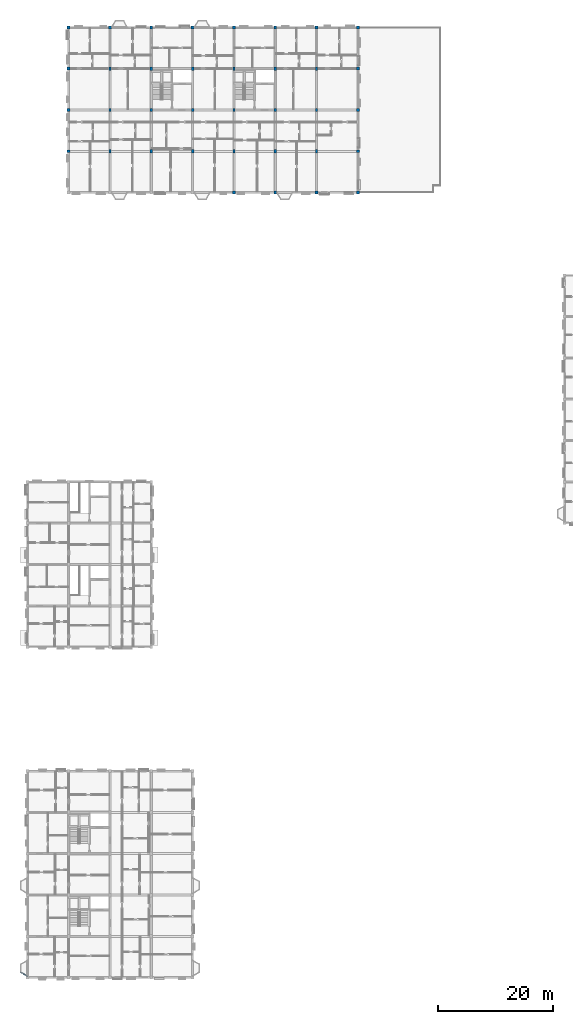
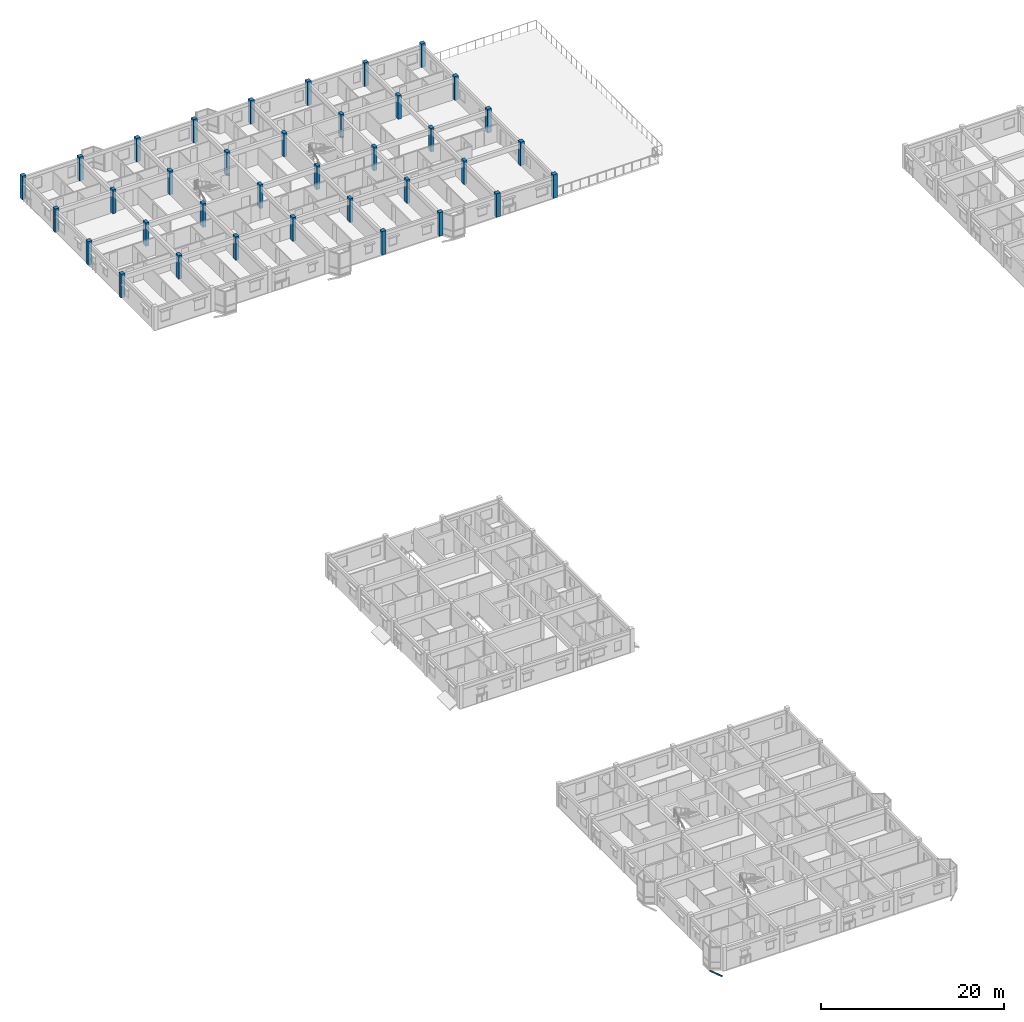
# One storey, part 2 of 64: 36 columns, 1 member.
"""IFC4 building model written with IfcOpenShell, lengths in metres."""

import ifcopenshell
import ifcopenshell.guid

model = None  # the IFC model being written
_history = None  # IfcOwnerHistory: only IFC2X3 demands one
_inside = {}  # id of a spatial element -> (the spatial element, [elements in it])
_under = {}  # id of a project, library or spatial element -> (it, [spatial elements below it])
_declared = {}  # id of a project -> (the project, [libraries it declares])
_typed = {}  # id of a type object -> (the type object, [elements of that type])
_made_of = {}  # id of a material, layer set ... -> (it, [elements and type objects made of it])


def new_model(schema):
    """Start an empty IFC model of exactly this schema.

    Asked for "IFC4X3", IfcOpenShell would pick the latest addendum, in which some entities
    have other attributes; the version numbers below select the first issue.
    IFC2X3 requires an IfcOwnerHistory on every rooted entity: one is made here for all.
    """
    global model, _history
    if schema == "IFC4X3":
        model = ifcopenshell.file(schema_version=(4, 3, 0, 0))
    else:
        model = ifcopenshell.file(schema=schema)
    _inside.clear()
    _under.clear()
    _declared.clear()
    _typed.clear()
    _made_of.clear()
    _history = None
    if model.schema == "IFC2X3":
        org = make("IfcOrganization", Name="unknown")
        user = make(
            "IfcPersonAndOrganization",
            ThePerson=make("IfcPerson", FamilyName="unknown"),
            TheOrganization=org,
        )
        app = make(
            "IfcApplication",
            ApplicationDeveloper=org,
            Version="unknown",
            ApplicationFullName="unknown",
            ApplicationIdentifier="unknown",
        )
        _history = make(
            "IfcOwnerHistory",
            OwningUser=user,
            OwningApplication=app,
            ChangeAction="ADDED",
            CreationDate=0,
        )
    return model


def make(cls, **values):
    """One entity of the class cls with the attributes given. An attribute that is None is left unset."""
    return model.create_entity(
        cls, **{name: value for name, value in values.items() if value is not None}
    )


def rooted(cls, **values):
    """An entity with a GlobalId (a new one), such as an element, a storey or a relation."""
    return make(cls, GlobalId=ifcopenshell.guid.new(), OwnerHistory=_history, **values)


def si_unit(unit_type, name, prefix=None):
    """IfcSIUnit, for example si_unit("LENGTHUNIT", "METRE", prefix="MILLI")."""
    return make("IfcSIUnit", UnitType=unit_type, Prefix=prefix, Name=name)


def assignment(units):
    """IfcUnitAssignment: the units of a project."""
    return None if units is None else make("IfcUnitAssignment", Units=units)


def point(xyz):
    """IfcCartesianPoint."""
    return None if xyz is None else make("IfcCartesianPoint", Coordinates=xyz)


def direction(xyz):
    """IfcDirection."""
    return None if xyz is None else make("IfcDirection", DirectionRatios=xyz)


def frame(location, z_axis=None, x_axis=None):
    """IfcAxis2Placement3D, a coordinate frame: its origin and axes. An axis left out is left unset."""
    return make(
        "IfcAxis2Placement3D",
        Location=point(location),
        Axis=direction(z_axis),
        RefDirection=direction(x_axis),
    )


def frame_2d(location, x_axis=None):
    """IfcAxis2Placement2D, a coordinate frame in the plane: its origin and x axis."""
    return make(
        "IfcAxis2Placement2D", Location=point(location), RefDirection=direction(x_axis)
    )


def origin():
    """The frame at (0, 0, 0) with its axes left unset."""
    return frame((0.0, 0.0, 0.0))


def origin_2d():
    """The frame at (0, 0) in the plane with its x axis left unset."""
    return frame_2d((0.0, 0.0))


def place(relative_to, where):
    """IfcLocalPlacement: puts the frame where relative to a parent placement (None: the world)."""
    return make(
        "IfcLocalPlacement", PlacementRelTo=relative_to, RelativePlacement=where
    )


def context(
    kind, dimensions, precision=None, world=None, true_north=None, identifier=None
):
    """IfcGeometricRepresentationContext, for example the 3D "Model" context."""
    return make(
        "IfcGeometricRepresentationContext",
        ContextIdentifier=identifier,
        ContextType=kind,
        CoordinateSpaceDimension=dimensions,
        Precision=precision,
        WorldCoordinateSystem=world,
        TrueNorth=true_north,
    )


def subcontext(parent, identifier, kind, view, scale=None):
    """IfcGeometricRepresentationSubContext, for example "Body" below "Model"."""
    return make(
        "IfcGeometricRepresentationSubContext",
        ContextIdentifier=identifier,
        ContextType=kind,
        ParentContext=parent,
        TargetScale=scale,
        TargetView=view,
    )


def project(units=None, contexts=None):
    """IfcProject with its units and contexts."""
    return rooted(
        "IfcProject",
        Name="project",
        RepresentationContexts=contexts,
        UnitsInContext=assignment(units),
    )


def spatial(cls, under=None, at=None, **own):
    """A site, building, storey or space (cls), placed at a placement, below another one or the project."""
    s = rooted(cls, ObjectPlacement=at, **own)
    if under is not None:
        _under.setdefault(under.id(), (under, []))[1].append(s)
    return s


def profile(cls, at=None, kind="AREA", **sizes):
    """A parametric profile (cls). Its sizes go by their IFC names, for example OverallWidth=200.0."""
    return make(cls, ProfileType=kind, Position=at, **sizes)


def rectangle(**sizes):
    """IfcRectangleProfileDef."""
    return profile("IfcRectangleProfileDef", **sizes)


def hollow_rectangle(**sizes):
    """IfcRectangleHollowProfileDef."""
    return profile("IfcRectangleHollowProfileDef", **sizes)


def extrude(swept, where, along, depth):
    """IfcExtrudedAreaSolid: the profile swept, set in the frame where, extruded along a direction by depth."""
    return make(
        "IfcExtrudedAreaSolid",
        SweptArea=swept,
        Position=where,
        ExtrudedDirection=direction(along),
        Depth=depth,
    )


def shape(context_of_items, identifier, shape_type, items):
    """IfcShapeRepresentation: the items that make up one representation, for example the "Body"."""
    return make(
        "IfcShapeRepresentation",
        ContextOfItems=context_of_items,
        RepresentationIdentifier=identifier,
        RepresentationType=shape_type,
        Items=items,
    )


def material(Name=None, Category=None):
    """IfcMaterial."""
    return make("IfcMaterial", Name=Name, Category=Category)


def material_profile(
    of_material, cross_section, Name=None, Category=None, Priority=None
):
    """IfcMaterialProfile: a cross section and its material."""
    return make(
        "IfcMaterialProfile",
        Name=Name,
        Material=of_material,
        Profile=cross_section,
        Priority=Priority,
        Category=Category,
    )


def profile_set(profiles, Name=None, composite=None):
    """IfcMaterialProfileSet."""
    return make(
        "IfcMaterialProfileSet",
        Name=Name,
        MaterialProfiles=profiles,
        CompositeProfile=composite,
    )


def made_of(thing, what):
    """Note that an element or type object is made of a material, layer set ...; save() writes the relation."""
    if what is not None:
        _made_of.setdefault(what.id(), (what, []))[1].append(thing)
    return thing


def type_object(cls, material=None, **own):
    """A type object (cls), such as IfcWallType, which elements share."""
    return made_of(rooted(cls, **own), material)


def element(
    cls,
    number,
    at=None,
    inside=None,
    cuts=None,
    type_object=None,
    material=None,
    context=None,
    identifier="Body",
    shape_type=None,
    held_by="IfcProductDefinitionShape",
    body=None,
    shapes=None,
    **own,
):
    """One element of the class cls, such as IfcWall. Its Tag is "e" and its number.

    at: its placement. inside: the storey or other place that contains it. cuts: it is an
    opening in that element (IfcRelVoidsElement). A single representation is given by context,
    identifier, shape_type and body (its items); several are given by shapes. held_by: the class
    of the entity that holds the representations. save() writes the other relations.
    """
    e = rooted(cls, Tag="e%d" % number, ObjectPlacement=at, **own)
    if body is not None:
        shapes = [shape(context, identifier, shape_type, body)]
    if shapes is not None:
        e.Representation = make(held_by, Representations=shapes)
    if inside is not None:
        _inside.setdefault(inside.id(), (inside, []))[1].append(e)
    if cuts is not None:
        rooted(
            "IfcRelVoidsElement", RelatingBuildingElement=cuts, RelatedOpeningElement=e
        )
    if type_object is not None:
        _typed.setdefault(type_object.id(), (type_object, []))[1].append(e)
    return made_of(e, material)


def aggregate(whole, parts):
    """IfcRelAggregates: a whole, such as a stair, and the parts it consists of."""
    return rooted("IfcRelAggregates", RelatingObject=whole, RelatedObjects=parts)


def save(model, path):
    """Write the relations noted so far, then the file.

    IfcRelAggregates (storeys below a building ...), IfcRelContainedInSpatialStructure (elements
    in a storey), IfcRelDefinesByType, IfcRelAssociatesMaterial and IfcRelDeclares: one each for
    every whole, place, type object, material and project.
    """
    for whole, parts in _under.values():
        aggregate(whole, parts)
    for where, things in _inside.values():
        rooted(
            "IfcRelContainedInSpatialStructure",
            RelatedElements=things,
            RelatingStructure=where,
        )
    for kind, things in _typed.values():
        rooted("IfcRelDefinesByType", RelatedObjects=things, RelatingType=kind)
    for what, things in _made_of.values():
        rooted("IfcRelAssociatesMaterial", RelatedObjects=things, RelatingMaterial=what)
    for by, libraries in _declared.values():
        rooted("IfcRelDeclares", RelatingContext=by, RelatedDefinitions=libraries)
    model.write(path)


model = new_model("IFC4")

# Units and contexts
model_context = context("Model", 3, precision=1e-05, world=origin(), true_north=direction((0.0, 1.0)))
body_context = subcontext(model_context, "Body", "Model", "MODEL_VIEW")
ifc_project = project(units=[si_unit("LENGTHUNIT", "METRE"), si_unit("AREAUNIT", "SQUARE_METRE"), si_unit("VOLUMEUNIT", "CUBIC_METRE"), si_unit("PLANEANGLEUNIT", "RADIAN"), si_unit("MASSUNIT", "GRAM", prefix="KILO"), si_unit("THERMODYNAMICTEMPERATUREUNIT", "KELVIN"), si_unit("POWERUNIT", "WATT")], contexts=[model_context])

# Site, building, storey
site_placement = place(None, origin())
site = spatial("IfcSite", under=ifc_project, at=site_placement, CompositionType="ELEMENT")
building_placement = place(site_placement, origin())
building = spatial("IfcBuilding", under=site, at=building_placement, Name="Tavuni Mirador Residences", CompositionType="ELEMENT")
storey_placement = place(building_placement, frame((0.0, 0.0, 26.550048828125)))
storey = spatial("IfcBuildingStorey", under=building, at=storey_placement, Name="L08", CompositionType="ELEMENT", Elevation=26.550048828125)

# Columns
ifc_material_1 = material(Name="Precast concrete C40/50", Category="concrete")
ifc_material_profile_1 = material_profile(ifc_material_1, rectangle(XDim=0.39990234375, YDim=0.60009765625, at=origin_2d()), Name="RC 400x600", Category="concrete")
ifc_profile_set_1 = profile_set([ifc_material_profile_1], Name="Precast concrete C40/50")
column_type_1 = type_object("IfcColumnType", Name="CT-RC400X600", PredefinedType="COLUMN", material=ifc_profile_set_1)
for number, where, z_axis, x_axis, name in (
    (1, (18.0, 151.199951171875, 0.0), (0.0, 0.0, 1.0), (1.0, 0.0, 0.0), "COL-BLK-C-L08-01-01"),
    (2, (18.0, 158.39990234375, 0.0), (0.0, 0.0, 1.0), (1.0, 0.0, 0.0), "COL-BLK-C-L08-01-02"),
    (3, (18.0, 165.60009765625, 0.0), (0.0, 0.0, 1.0), (1.0, 0.0, 0.0), "COL-BLK-C-L08-01-03"),
    (4, (25.199951171875, 151.199951171875, 0.0), (0.0, 0.0, 1.0), (1.0, 0.0, 0.0), "COL-BLK-C-L08-02-01"),
    (5, (25.199951171875, 158.39990234375, 0.0), (0.0, 0.0, 1.0), (1.0, 0.0, 0.0), "COL-BLK-C-L08-02-02"),
    (6, (25.199951171875, 165.60009765625, 0.0), (0.0, 0.0, 1.0), (1.0, 0.0, 0.0), "COL-BLK-C-L08-02-03"),
    (7, (32.39990234375, 151.199951171875, 0.0), (0.0, 0.0, 1.0), (1.0, 0.0, 0.0), "COL-BLK-C-L08-03-01"),
    (8, (32.39990234375, 158.39990234375, 0.0), (0.0, 0.0, 1.0), (1.0, 0.0, 0.0), "COL-BLK-C-L08-03-02"),
    (9, (32.39990234375, 165.60009765625, 0.0), (0.0, 0.0, 1.0), (1.0, 0.0, 0.0), "COL-BLK-C-L08-03-03"),
    (10, (39.60009765625, 151.199951171875, 0.0), (0.0, 0.0, 1.0), (1.0, 0.0, 0.0), "COL-BLK-C-L08-04-01"),
    (11, (39.60009765625, 158.39990234375, 0.0), (0.0, 0.0, 1.0), (1.0, 0.0, 0.0), "COL-BLK-C-L08-04-02"),
    (12, (39.60009765625, 165.60009765625, 0.0), (0.0, 0.0, 1.0), (1.0, 0.0, 0.0), "COL-BLK-C-L08-04-03"),
    (13, (46.800048828125, 151.199951171875, 0.0), (0.0, 0.0, 1.0), (1.0, 0.0, 0.0), "COL-BLK-C-L08-05-01"),
    (14, (46.800048828125, 158.39990234375, 0.0), (0.0, 0.0, 1.0), (1.0, 0.0, 0.0), "COL-BLK-C-L08-05-02"),
    (15, (46.800048828125, 165.60009765625, 0.0), (0.0, 0.0, 1.0), (1.0, 0.0, 0.0), "COL-BLK-C-L08-05-03"),
    (16, (54.0, 151.199951171875, 0.0), (0.0, 0.0, 1.0), (1.0, 0.0, 0.0), "COL-BLK-C-L08-06-01"),
    (17, (54.0, 158.39990234375, 0.0), (0.0, 0.0, 1.0), (1.0, 0.0, 0.0), "COL-BLK-C-L08-06-02"),
    (18, (54.0, 165.60009765625, 0.0), (0.0, 0.0, 1.0), (1.0, 0.0, 0.0), "COL-BLK-C-L08-06-03"),
):
    element("IfcColumn", number, at=place(storey_placement, frame(where, z_axis=z_axis, x_axis=x_axis)), inside=storey, type_object=column_type_1, Name=name, PredefinedType="COLUMN", context=body_context, shape_type="SweptSolid", body=[
        extrude(rectangle(XDim=0.39990234375, YDim=0.60009765625, at=origin_2d()), origin(), (0.0, 0.0, 1.0), 3.14990234375),
    ])
ifc_material_profile_2 = material_profile(ifc_material_1, rectangle(XDim=0.5, YDim=0.5, at=origin_2d()), Name="RC 500x500", Category="concrete")
ifc_profile_set_2 = profile_set([ifc_material_profile_2], Name="Precast concrete C40/50")
column_type_2 = type_object("IfcColumnType", Name="CT-RC500", PredefinedType="COLUMN", material=ifc_profile_set_2)
for number, where, z_axis, x_axis, name in (
    (19, (10.800048828125, 151.199951171875, 0.0), (0.0, 0.0, 1.0), (1.0, 0.0, 0.0), "COL-BLK-C-L08-00-01"),
    (20, (10.800048828125, 158.39990234375, 0.0), (0.0, 0.0, 1.0), (1.0, 0.0, 0.0), "COL-BLK-C-L08-00-02"),
    (21, (10.800048828125, 165.60009765625, 0.0), (0.0, 0.0, 1.0), (1.0, 0.0, 0.0), "COL-BLK-C-L08-00-03"),
    (22, (10.800048828125, 172.800048828125, 0.0), (0.0, 0.0, 1.0), (1.0, 0.0, 0.0), "COL-BLK-C-L08-00-04"),
    (23, (18.0, 172.800048828125, 0.0), (0.0, 0.0, 1.0), (1.0, 0.0, 0.0), "COL-BLK-C-L08-01-04"),
    (24, (25.199951171875, 172.800048828125, 0.0), (0.0, 0.0, 1.0), (1.0, 0.0, 0.0), "COL-BLK-C-L08-02-04"),
    (25, (32.39990234375, 172.800048828125, 0.0), (0.0, 0.0, 1.0), (1.0, 0.0, 0.0), "COL-BLK-C-L08-03-04"),
    (26, (39.60009765625, 144.0, 0.0), (0.0, 0.0, 1.0), (1.0, 0.0, 0.0), "COL-BLK-C-L08-04-00"),
    (27, (39.60009765625, 172.800048828125, 0.0), (0.0, 0.0, 1.0), (1.0, 0.0, 0.0), "COL-BLK-C-L08-04-04"),
    (28, (46.800048828125, 144.0, 0.0), (0.0, 0.0, 1.0), (1.0, 0.0, 0.0), "COL-BLK-C-L08-05-00"),
    (29, (46.800048828125, 172.800048828125, 0.0), (0.0, 0.0, 1.0), (1.0, 0.0, 0.0), "COL-BLK-C-L08-05-04"),
    (30, (54.0, 144.0, 0.0), (0.0, 0.0, 1.0), (1.0, 0.0, 0.0), "COL-BLK-C-L08-06-00"),
    (31, (54.0, 172.800048828125, 0.0), (0.0, 0.0, 1.0), (1.0, 0.0, 0.0), "COL-BLK-C-L08-06-04"),
    (32, (61.199951171875, 144.0, 0.0), (0.0, 0.0, 1.0), (1.0, 0.0, 0.0), "COL-BLK-C-L08-07-00"),
    (33, (61.199951171875, 151.199951171875, 0.0), (0.0, 0.0, 1.0), (1.0, 0.0, 0.0), "COL-BLK-C-L08-07-01"),
    (34, (61.199951171875, 158.39990234375, 0.0), (0.0, 0.0, 1.0), (1.0, 0.0, 0.0), "COL-BLK-C-L08-07-02"),
    (35, (61.199951171875, 165.60009765625, 0.0), (0.0, 0.0, 1.0), (1.0, 0.0, 0.0), "COL-BLK-C-L08-07-03"),
    (36, (61.199951171875, 172.800048828125, 0.0), (0.0, 0.0, 1.0), (1.0, 0.0, 0.0), "COL-BLK-C-L08-07-04"),
):
    element("IfcColumn", number, at=place(storey_placement, frame(where, z_axis=z_axis, x_axis=x_axis)), inside=storey, type_object=column_type_2, Name=name, PredefinedType="COLUMN", context=body_context, shape_type="SweptSolid", body=[
        extrude(rectangle(XDim=0.5, YDim=0.5, at=origin_2d()), origin(), (0.0, 0.0, 1.0), 3.14990234375),
    ])

# Member
ifc_material_2 = material(Name="Structural steel S355", Category="steel")
ifc_material_profile_3 = material_profile(ifc_material_2, hollow_rectangle(XDim=0.10009765625, YDim=0.179931640625, WallThickness=0.008056640625, at=origin_2d()), Name="RHS 180x100x8.0", Category="steel")
ifc_profile_set_3 = profile_set([ifc_material_profile_3], Name="Structural steel S355")
member_type = type_object("IfcMemberType", Name="MT-BR-RHS180", PredefinedType="BRACE", material=ifc_profile_set_3)
member_placement = place(storey_placement, frame((3.60009765625, 7.449951171875, -1.050048828125), z_axis=(-0.753448798133, 0.445693471312, 0.48339656414), x_axis=(-0.50913035723, -0.860689420957, 0.0)))
element("IfcMember", 37, at=member_placement, inside=storey, type_object=member_type, Name="MBRK-MIR-A-W1-L08-1", PredefinedType="BRACE", context=body_context, shape_type="SweptSolid", body=[
    extrude(hollow_rectangle(XDim=0.10009765625, YDim=0.179931640625, WallThickness=0.008056640625, at=origin_2d()), origin(), (0.0, 0.0, 1.0), 1.593017578125),
])

save(model, "model.ifc")
